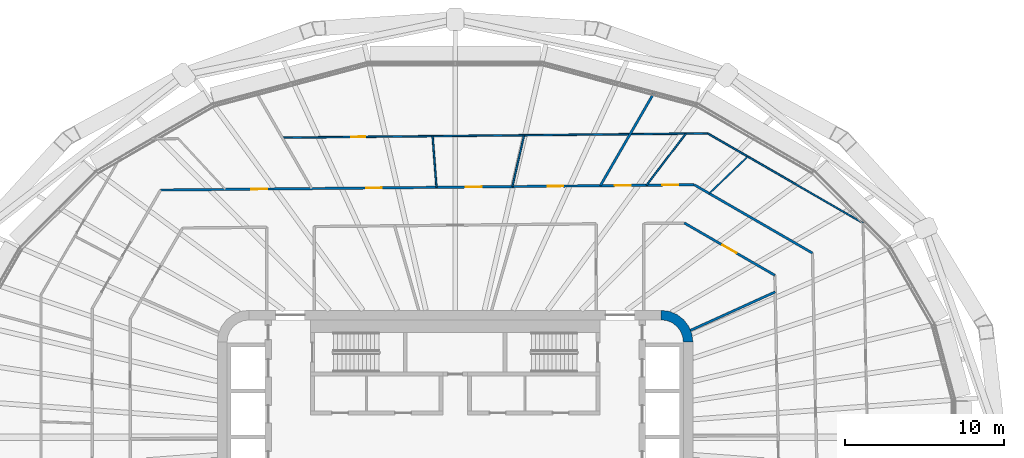
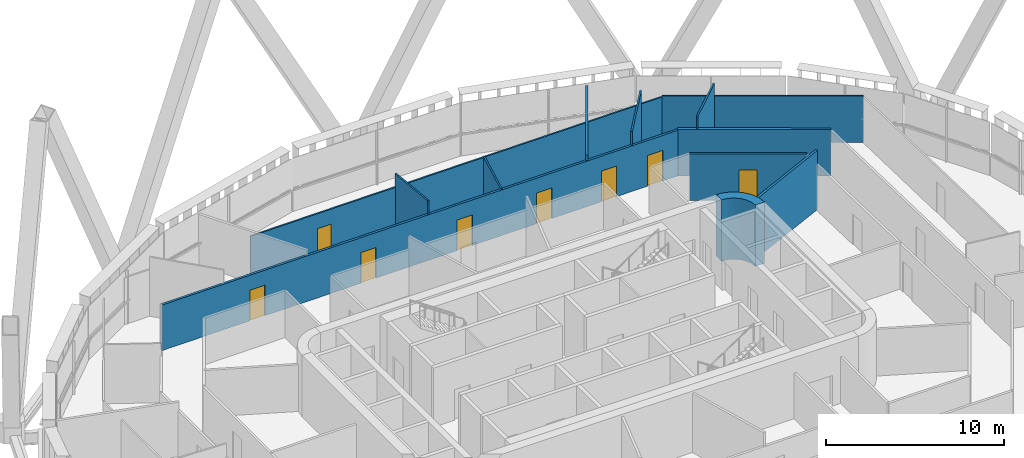
# One storey, part 17 of 25: 12 walls, 8 doors, 8 openings.
"""IFC4 building model written with IfcOpenShell, lengths in metres."""

from ifc_helpers import new_model, si_unit, direction, frame, frame_2d, origin, place, context, subcontext, project, spatial, polyline, rectangle, outline, extrude, material, layer, layer_set, type_object, element, fill, save


model = new_model("IFC4")

# Units and contexts
model_context = context("Model", 3, precision=1e-05, world=origin(), true_north=direction((0.0, 1.0)))
body_context = subcontext(model_context, "Body", "Model", "MODEL_VIEW")
ifc_project = project(units=[si_unit("LENGTHUNIT", "METRE"), si_unit("AREAUNIT", "SQUARE_METRE"), si_unit("VOLUMEUNIT", "CUBIC_METRE"), si_unit("PLANEANGLEUNIT", "RADIAN"), si_unit("MASSUNIT", "GRAM", prefix="KILO")], contexts=[model_context])

# Site, building, storey
site_placement = place(None, origin())
site = spatial("IfcSite", under=ifc_project, at=site_placement, CompositionType="ELEMENT")
building_placement = place(site_placement, origin())
building = spatial("IfcBuilding", under=site, at=building_placement, Name="Sahrelin Media Tower", CompositionType="ELEMENT")
storey_placement = place(building_placement, frame((0.0, 0.0, 79.800048828125)))
storey = spatial("IfcBuildingStorey", under=building, at=storey_placement, Name="L14", CompositionType="ELEMENT", Elevation=79.800048828125)

# Wall
ifc_material_1 = material(Name="Concrete C60/75", Category="concrete")
ifc_layer_1 = layer(ifc_material_1, 0.60009765625)
ifc_layer_set_1 = layer_set([ifc_layer_1], Name="Core wall 600")
wall_type_1 = type_object("IfcWallType", Name="Core wall 600", PredefinedType="SHEAR", material=ifc_layer_set_1)
wall_1_placement = place(storey_placement, origin())
element("IfcWall", 1, at=wall_1_placement, inside=storey, type_object=wall_type_1, Name="Core wall corner NE L14", PredefinedType="SHEAR", context=body_context, shape_type="SweptSolid", body=[
    extrude(outline(polyline([(13.0, 8.0), (13.0, 7.394775390625), (13.361083984375, 7.347412109375), (13.697509765625, 7.2080078125), (13.986328125, 6.986328125), (14.2080078125, 6.697509765625), (14.347412109375, 6.361083984375), (14.394775390625, 6.0), (15.0, 6.0), (14.931884765625, 6.517578125), (14.732177734375, 7.0), (14.414306640625, 7.414306640625), (14.0, 7.732177734375), (13.517578125, 7.931884765625), (13.0, 8.0)])), origin(), (0.0, 0.0, 1.0), 4.199951171875),
])

# Wall, opening, door
ifc_material_2 = material(Name="Fire-rated gypsum board partition")
ifc_layer_2 = layer(ifc_material_2, 0.14990234375)
ifc_layer_set_2 = layer_set([ifc_layer_2], Name="Fire-rated partition 150")
wall_type_2 = type_object("IfcWallType", Name="Fire-rated partition 150", PredefinedType="PARTITIONING", material=ifc_layer_set_2)
wall_2_placement = place(storey_placement, frame((14.447998046875, 13.514892578125, 0.0), z_axis=(0.0, 0.0, 1.0), x_axis=(0.865975016585, -0.500087263036, 0.0)))
wall_2 = element("IfcWall", 2, at=wall_2_placement, inside=storey, type_object=wall_type_2, Name="Wall", PredefinedType="PARTITIONING", context=body_context, shape_type="SweptSolid", body=[
    extrude(rectangle(XDim=6.603759765625, YDim=0.14990234375, at=frame_2d((3.3017578125, 0.0))), origin(), (0.0, 0.0, 1.0), 3.195068359375),
])
opening_1_placement = place(wall_2_placement, frame((2.803466796875, 0.0, 0.0)))
opening_1 = element("IfcOpeningElement", 3, at=opening_1_placement, cuts=wall_2, Name="Opening L14-D26", PredefinedType="OPENING", context=body_context, shape_type="SweptSolid", body=[
    extrude(rectangle(XDim=1.0, YDim=2.10009765625, at=frame_2d((0.5, 1.050048828125))), frame((0.0, 0.074951171875, 0.0), z_axis=(0.0, -1.0, 0.0), x_axis=(1.0, 0.0, 0.0)), (0.0, 0.0, 1.0), 0.14990234375),
])
ifc_material_3 = material(Name="Steel fire door leaf", Category="steel")
door_type_1 = type_object("IfcDoorType", Name="Fire door 1000 x 2100 EI 60", OperationType="NOTDEFINED", PredefinedType="DOOR", material=ifc_material_3)
door_1_placement = place(opening_1_placement, origin())
door_1 = element("IfcDoor", 4, at=door_1_placement, inside=storey, type_object=door_type_1, Name="Fire door", OperationType="SINGLE_SWING_LEFT", OverallHeight=2.10009765625, OverallWidth=1.0, PredefinedType="DOOR", context=body_context, shape_type="SweptSolid", body=[
    extrude(rectangle(XDim=1.0, YDim=2.10009765625, at=frame_2d((0.5, 1.050048828125))), frame((0.0, 0.02490234375, 0.0), z_axis=(0.0, -1.0, 0.0), x_axis=(1.0, 0.0, 0.0)), (0.0, 0.0, 1.0), 0.050048828125),
])
fill(opening_1, door_1)

# Wall
wall_3_placement = place(storey_placement, frame((15.080078125, 15.9208984375, 0.0), z_axis=(0.0, 0.0, 1.0), x_axis=(0.865982112089, -0.50007497592, 0.0)))
element("IfcWall", 5, at=wall_3_placement, inside=storey, type_object=wall_type_2, Name="Wall", PredefinedType="PARTITIONING", context=body_context, shape_type="SweptSolid", body=[
    extrude(rectangle(XDim=8.612548828125, YDim=0.14990234375, at=frame_2d((4.30615234375, 0.0))), origin(), (0.0, 0.0, 1.0), 3.195068359375),
])

# Wall, openings, doors
wall_4_placement = place(storey_placement, frame((-18.5869140625, 15.5869140625, 0.0), z_axis=(0.0, 0.0, 1.0), x_axis=(0.999950941879, 0.009905242833, 0.0)))
wall_4 = element("IfcWall", 6, at=wall_4_placement, inside=storey, type_object=wall_type_2, Name="Wall", PredefinedType="PARTITIONING", context=body_context, shape_type="SweptSolid", body=[
    extrude(rectangle(XDim=33.668701171875, YDim=0.14990234375, at=frame_2d((16.83447265625, 0.0))), origin(), (0.0, 0.0, 1.0), 3.126953125),
])
opening_2_placement = place(wall_4_placement, frame((31.666748046875, 0.0, 0.0)))
opening_2 = element("IfcOpeningElement", 7, at=opening_2_placement, cuts=wall_4, Name="Opening L14-D42", PredefinedType="OPENING", context=body_context, shape_type="SweptSolid", body=[
    extrude(rectangle(XDim=1.0, YDim=2.10009765625, at=frame_2d((0.5, 1.050048828125))), frame((0.0, 0.074951171875, 0.0), z_axis=(0.0, -1.0, 0.0), x_axis=(1.0, 0.0, 0.0)), (0.0, 0.0, 1.0), 0.14990234375),
])
opening_3_placement = place(wall_4_placement, frame((28.654052734375, 0.0, 0.0)))
opening_3 = element("IfcOpeningElement", 8, at=opening_3_placement, cuts=wall_4, Name="Opening L14-D43", PredefinedType="OPENING", context=body_context, shape_type="SweptSolid", body=[
    extrude(rectangle(XDim=1.0, YDim=2.10009765625, at=frame_2d((0.5, 1.050048828125))), frame((0.0, 0.074951171875, 0.0), z_axis=(0.0, -1.0, 0.0), x_axis=(1.0, 0.0, 0.0)), (0.0, 0.0, 1.0), 0.14990234375),
])
opening_4_placement = place(wall_4_placement, frame((24.420654296875, 0.0, 0.0)))
opening_4 = element("IfcOpeningElement", 9, at=opening_4_placement, cuts=wall_4, Name="Opening L14-D45", PredefinedType="OPENING", context=body_context, shape_type="SweptSolid", body=[
    extrude(rectangle(XDim=1.0, YDim=2.10009765625, at=frame_2d((0.5, 1.050048828125))), frame((0.0, 0.074951171875, 0.0), z_axis=(0.0, -1.0, 0.0), x_axis=(1.0, 0.0, 0.0)), (0.0, 0.0, 1.0), 0.14990234375),
])
opening_5_placement = place(wall_4_placement, frame((19.251220703125, 0.0, 0.0)))
opening_5 = element("IfcOpeningElement", 10, at=opening_5_placement, cuts=wall_4, Name="Opening L14-D46", PredefinedType="OPENING", context=body_context, shape_type="SweptSolid", body=[
    extrude(rectangle(XDim=1.0, YDim=2.10009765625, at=frame_2d((0.5, 1.050048828125))), frame((0.0, 0.074951171875, 0.0), z_axis=(0.0, -1.0, 0.0), x_axis=(1.0, 0.0, 0.0)), (0.0, 0.0, 1.0), 0.14990234375),
])
opening_6_placement = place(wall_4_placement, frame((12.96923828125, 0.0, 0.0)))
opening_6 = element("IfcOpeningElement", 11, at=opening_6_placement, cuts=wall_4, Name="Opening L14-D47", PredefinedType="OPENING", context=body_context, shape_type="SweptSolid", body=[
    extrude(rectangle(XDim=1.0, YDim=2.10009765625, at=frame_2d((0.5, 1.050048828125))), frame((0.0, 0.074951171875, 0.0), z_axis=(0.0, -1.0, 0.0), x_axis=(1.0, 0.0, 0.0)), (0.0, 0.0, 1.0), 0.14990234375),
])
opening_7_placement = place(wall_4_placement, frame((5.73388671875, 0.0, 0.0)))
opening_7 = element("IfcOpeningElement", 12, at=opening_7_placement, cuts=wall_4, Name="Opening L14-D49", PredefinedType="OPENING", context=body_context, shape_type="SweptSolid", body=[
    extrude(rectangle(XDim=1.0, YDim=2.10009765625, at=frame_2d((0.5, 1.050048828125))), frame((0.0, 0.074951171875, 0.0), z_axis=(0.0, -1.0, 0.0), x_axis=(1.0, 0.0, 0.0)), (0.0, 0.0, 1.0), 0.14990234375),
])
door_2_placement = place(opening_2_placement, origin())
door_2 = element("IfcDoor", 13, at=door_2_placement, inside=storey, type_object=door_type_1, Name="Fire door", OperationType="SINGLE_SWING_RIGHT", OverallHeight=2.10009765625, OverallWidth=1.0, PredefinedType="DOOR", context=body_context, shape_type="SweptSolid", body=[
    extrude(rectangle(XDim=1.0, YDim=2.10009765625, at=frame_2d((0.5, 1.050048828125))), frame((0.0, 0.02490234375, 0.0), z_axis=(0.0, -1.0, 0.0), x_axis=(1.0, 0.0, 0.0)), (0.0, 0.0, 1.0), 0.050048828125),
])
fill(opening_2, door_2)
door_3_placement = place(opening_3_placement, origin())
door_3 = element("IfcDoor", 14, at=door_3_placement, inside=storey, type_object=door_type_1, Name="Fire door", OperationType="SINGLE_SWING_LEFT", OverallHeight=2.10009765625, OverallWidth=1.0, PredefinedType="DOOR", context=body_context, shape_type="SweptSolid", body=[
    extrude(rectangle(XDim=1.0, YDim=2.10009765625, at=frame_2d((0.5, 1.050048828125))), frame((0.0, 0.02490234375, 0.0), z_axis=(0.0, -1.0, 0.0), x_axis=(1.0, 0.0, 0.0)), (0.0, 0.0, 1.0), 0.050048828125),
])
fill(opening_3, door_3)
door_4_placement = place(opening_4_placement, origin())
door_4 = element("IfcDoor", 15, at=door_4_placement, inside=storey, type_object=door_type_1, Name="Fire door", OperationType="SINGLE_SWING_LEFT", OverallHeight=2.10009765625, OverallWidth=1.0, PredefinedType="DOOR", context=body_context, shape_type="SweptSolid", body=[
    extrude(rectangle(XDim=1.0, YDim=2.10009765625, at=frame_2d((0.5, 1.050048828125))), frame((0.0, 0.02490234375, 0.0), z_axis=(0.0, -1.0, 0.0), x_axis=(1.0, 0.0, 0.0)), (0.0, 0.0, 1.0), 0.050048828125),
])
fill(opening_4, door_4)
door_5_placement = place(opening_5_placement, origin())
door_5 = element("IfcDoor", 16, at=door_5_placement, inside=storey, type_object=door_type_1, Name="Fire door", OperationType="SINGLE_SWING_LEFT", OverallHeight=2.10009765625, OverallWidth=1.0, PredefinedType="DOOR", context=body_context, shape_type="SweptSolid", body=[
    extrude(rectangle(XDim=1.0, YDim=2.10009765625, at=frame_2d((0.5, 1.050048828125))), frame((0.0, 0.02490234375, 0.0), z_axis=(0.0, -1.0, 0.0), x_axis=(1.0, 0.0, 0.0)), (0.0, 0.0, 1.0), 0.050048828125),
])
fill(opening_5, door_5)
door_6_placement = place(opening_6_placement, origin())
door_6 = element("IfcDoor", 17, at=door_6_placement, inside=storey, type_object=door_type_1, Name="Fire door", OperationType="SINGLE_SWING_RIGHT", OverallHeight=2.10009765625, OverallWidth=1.0, PredefinedType="DOOR", context=body_context, shape_type="SweptSolid", body=[
    extrude(rectangle(XDim=1.0, YDim=2.10009765625, at=frame_2d((0.5, 1.050048828125))), frame((0.0, 0.02490234375, 0.0), z_axis=(0.0, -1.0, 0.0), x_axis=(1.0, 0.0, 0.0)), (0.0, 0.0, 1.0), 0.050048828125),
])
fill(opening_6, door_6)
door_7_placement = place(opening_7_placement, origin())
door_7 = element("IfcDoor", 18, at=door_7_placement, inside=storey, type_object=door_type_1, Name="Fire door", OperationType="SINGLE_SWING_LEFT", OverallHeight=2.10009765625, OverallWidth=1.0, PredefinedType="DOOR", context=body_context, shape_type="SweptSolid", body=[
    extrude(rectangle(XDim=1.0, YDim=2.10009765625, at=frame_2d((0.5, 1.050048828125))), frame((0.0, 0.02490234375, 0.0), z_axis=(0.0, -1.0, 0.0), x_axis=(1.0, 0.0, 0.0)), (0.0, 0.0, 1.0), 0.050048828125),
])
fill(opening_7, door_7)

# Walls
wall_5_placement = place(storey_placement, frame((14.843017578125, 6.73291015625, 0.0), z_axis=(0.0, 0.0, 1.0), x_axis=(0.910628361306, 0.413226315214, 0.0)))
element("IfcWall", 19, at=wall_5_placement, inside=storey, type_object=wall_type_2, Name="Wall", PredefinedType="PARTITIONING", context=body_context, shape_type="SweptSolid", body=[
    extrude(rectangle(XDim=5.870361328125, YDim=0.14990234375, at=frame_2d((2.93505859375, 0.0))), origin(), (0.0, 0.0, 1.0), 4.050048828125),
])
wall_6_placement = place(storey_placement, frame((9.157958984375, 15.862060546875, 0.0), z_axis=(0.0, 0.0, 1.0), x_axis=(0.499996416451, 0.866027472737, 0.0)))
element("IfcWall", 20, at=wall_6_placement, inside=storey, type_object=wall_type_2, Name="Wall", PredefinedType="PARTITIONING", context=body_context, shape_type="SweptSolid", body=[
    extrude(rectangle(XDim=6.81396484375, YDim=0.14990234375, at=frame_2d((3.406982421875, 0.0))), origin(), (0.0, 0.0, 1.0), 3.501708984375),
])
ifc_material_4 = material(Name="Gypsum board partition")
ifc_layer_3 = layer(ifc_material_4, 0.10009765625)
ifc_layer_set_3 = layer_set([ifc_layer_3], Name="Partition 100")
wall_type_3 = type_object("IfcWallType", Name="Partition 100", PredefinedType="PARTITIONING", material=ifc_layer_set_3)
wall_7_placement = place(storey_placement, frame((-1.423095703125, 18.988037109375, 0.0), z_axis=(0.0, 0.0, 1.0), x_axis=(0.074816197408, -0.997197340854, 0.0)))
element("IfcWall", 21, at=wall_7_placement, inside=storey, type_object=wall_type_3, Name="Wall", PredefinedType="PARTITIONING", context=body_context, shape_type="SweptSolid", body=[
    extrude(rectangle(XDim=3.237060546875, YDim=0.10009765625, at=frame_2d((1.61865234375, 0.0))), origin(), (0.0, 0.0, 1.0), 4.050048828125),
])
wall_8_placement = place(storey_placement, frame((15.930908203125, 19.159912109375, 0.0), z_axis=(0.0, 0.0, 1.0), x_axis=(0.866053377516, -0.499951544945, 0.0)))
element("IfcWall", 22, at=wall_8_placement, inside=storey, type_object=wall_type_3, Name="Wall", PredefinedType="PARTITIONING", context=body_context, shape_type="SweptSolid", body=[
    extrude(rectangle(XDim=11.31591796875, YDim=0.10009765625, at=frame_2d((5.657958984375, 0.0))), origin(), (0.0, 0.0, 1.0), 3.195068359375),
])

# Wall, opening, door
wall_9_placement = place(storey_placement, frame((-10.907958984375, 18.89404296875, 0.0), z_axis=(0.0, 0.0, 1.0), x_axis=(0.999950305253, 0.009969304066, 0.0)))
wall_9 = element("IfcWall", 23, at=wall_9_placement, inside=storey, type_object=wall_type_3, Name="Wall", PredefinedType="PARTITIONING", context=body_context, shape_type="SweptSolid", body=[
    extrude(rectangle(XDim=26.840087890625, YDim=0.10009765625, at=frame_2d((13.419921875, 0.0))), origin(), (0.0, 0.0, 1.0), 3.126953125),
])
opening_8_placement = place(wall_9_placement, frame((4.34228515625, 0.0, 0.0)))
opening_8 = element("IfcOpeningElement", 24, at=opening_8_placement, cuts=wall_9, Name="Opening L14-D48", PredefinedType="OPENING", context=body_context, shape_type="SweptSolid", body=[
    extrude(rectangle(XDim=0.89990234375, YDim=2.10009765625, at=frame_2d((0.449951171875, 1.050048828125))), frame((0.0, 0.050048828125, 0.0), z_axis=(0.0, -1.0, 0.0), x_axis=(1.0, 0.0, 0.0)), (0.0, 0.0, 1.0), 0.10009765625),
])
ifc_material_5 = material(Name="Timber door leaf", Category="wood")
door_type_2 = type_object("IfcDoorType", Name="Single door 900 x 2100", OperationType="NOTDEFINED", PredefinedType="DOOR", material=ifc_material_5)
door_8_placement = place(opening_8_placement, origin())
door_8 = element("IfcDoor", 25, at=door_8_placement, inside=storey, type_object=door_type_2, Name="Single door", OperationType="SINGLE_SWING_LEFT", OverallHeight=2.10009765625, OverallWidth=0.89990234375, PredefinedType="DOOR", context=body_context, shape_type="SweptSolid", body=[
    extrude(rectangle(XDim=0.89990234375, YDim=2.10009765625, at=frame_2d((0.449951171875, 1.050048828125))), frame((0.0, 0.02490234375, 0.0), z_axis=(0.0, -1.0, 0.0), x_axis=(1.0, 0.0, 0.0)), (0.0, 0.0, 1.0), 0.050048828125),
])
fill(opening_8, door_8)

# Walls
wall_10_placement = place(storey_placement, frame((16.030029296875, 15.3720703125, 0.0), z_axis=(0.0, 0.0, 1.0), x_axis=(0.721823579431, 0.692077105659, 0.0)))
element("IfcWall", 26, at=wall_10_placement, inside=storey, type_object=wall_type_3, Name="Wall", PredefinedType="PARTITIONING", context=body_context, shape_type="SweptSolid", body=[
    extrude(rectangle(XDim=3.364990234375, YDim=0.10009765625, at=frame_2d((1.6826171875, 0.0))), origin(), (0.0, 0.0, 1.0), 4.050048828125),
])
wall_11_placement = place(storey_placement, frame((12.073974609375, 15.89111328125, 0.0), z_axis=(0.0, 0.0, 1.0), x_axis=(0.605146856107, 0.796113862801, 0.0)))
element("IfcWall", 27, at=wall_11_placement, inside=storey, type_object=wall_type_3, Name="Wall", PredefinedType="PARTITIONING", context=body_context, shape_type="SweptSolid", body=[
    extrude(rectangle(XDim=4.08837890625, YDim=0.10009765625, at=frame_2d((2.044189453125, 0.0))), origin(), (0.0, 0.0, 1.0), 4.050048828125),
])
wall_12_placement = place(storey_placement, frame((3.60791015625, 15.806884765625, 0.0), z_axis=(0.0, 0.0, 1.0), x_axis=(0.222507435416, 0.974930993037, 0.0)))
element("IfcWall", 28, at=wall_12_placement, inside=storey, type_object=wall_type_3, Name="Wall", PredefinedType="PARTITIONING", context=body_context, shape_type="SweptSolid", body=[
    extrude(rectangle(XDim=3.3212890625, YDim=0.10009765625, at=frame_2d((1.66064453125, 0.0))), origin(), (0.0, 0.0, 1.0), 3.126953125),
])

save(model, "model.ifc")
